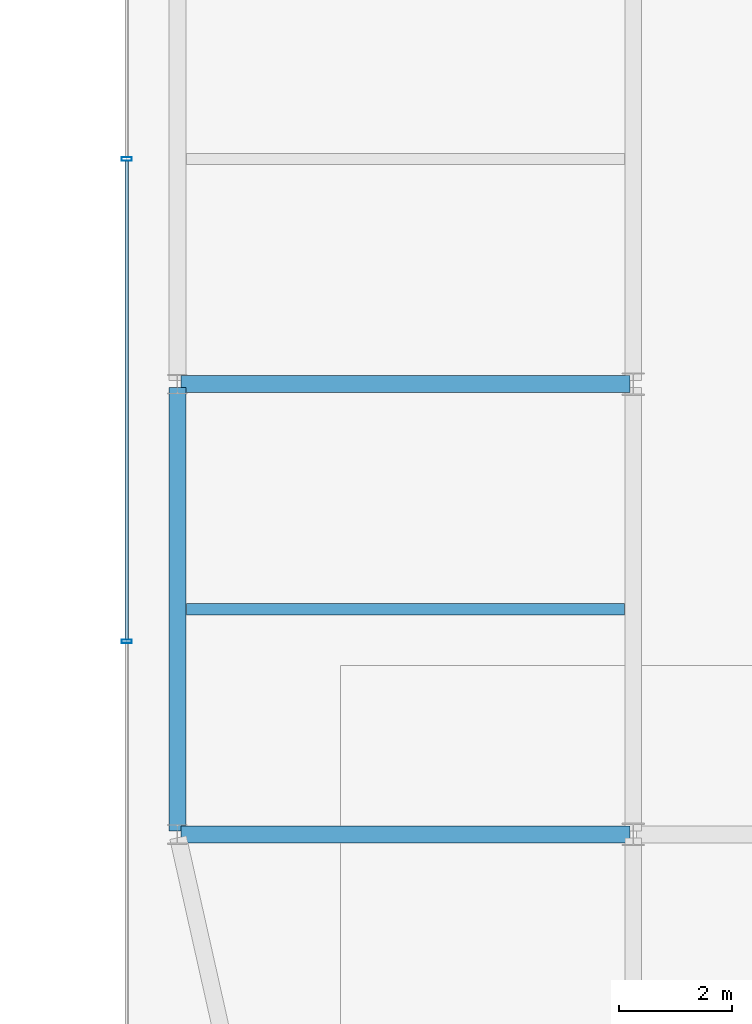
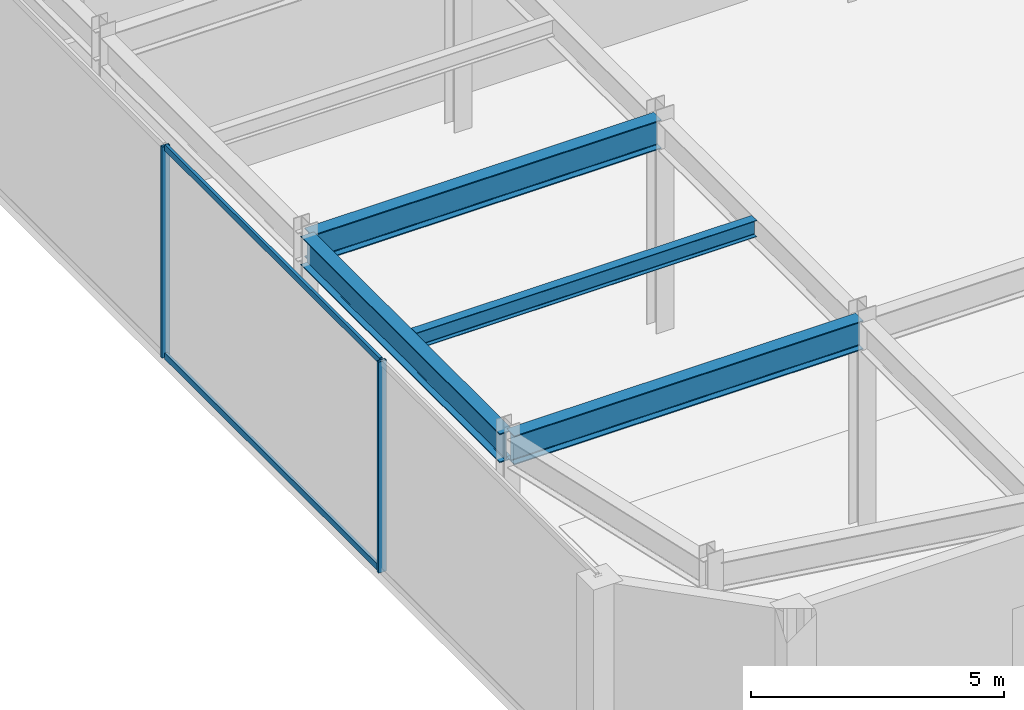
# One storey, part 34 of 51: 4 beams, 4 members, 1 element without a shape of its own.
"""IFC4 building model written with IfcOpenShell, lengths in metres."""

from ifc_helpers import new_model, si_unit, direction, frame, origin, origin_2d, place, context, subcontext, project, spatial, hollow_rectangle, i_section, extrude, material, material_profile, profile_set, type_object, element, aggregate, save


model = new_model("IFC4")

# Units and contexts
model_context = context("Model", 3, precision=1e-05, world=origin(), true_north=direction((0.0, 1.0)))
body_context = subcontext(model_context, "Body", "Model", "MODEL_VIEW")
ifc_project = project(units=[si_unit("LENGTHUNIT", "METRE"), si_unit("AREAUNIT", "SQUARE_METRE"), si_unit("VOLUMEUNIT", "CUBIC_METRE"), si_unit("PLANEANGLEUNIT", "RADIAN"), si_unit("MASSUNIT", "GRAM", prefix="KILO")], contexts=[model_context])

# Site, building, storey
site_placement = place(None, origin())
site = spatial("IfcSite", under=ifc_project, at=site_placement, CompositionType="ELEMENT")
building_placement = place(site_placement, origin())
building = spatial("IfcBuilding", under=site, at=building_placement, Name="Saevonmaru Cultural Tower", CompositionType="ELEMENT")
storey_placement = place(building_placement, frame((0.0, 0.0, 6.0)))
storey = spatial("IfcBuildingStorey", under=building, at=storey_placement, Name="L01", CompositionType="ELEMENT", Elevation=6.0)

# Beams
ifc_material_1 = material(Name="Steel SM355", Category="steel")
ifc_material_profile_1 = material_profile(ifc_material_1, i_section(OverallWidth=0.300048828125, OverallDepth=0.699951171875, WebThickness=0.012939453125, FlangeThickness=0.02392578125, FilletRadius=0.02587890625, at=origin_2d()), Name="H-700x300x13x24")
ifc_profile_set_1 = profile_set([ifc_material_profile_1], Name="Steel SM355")
beam_type_1 = type_object("IfcBeamType", Name="BM-G-H700", PredefinedType="BEAM", material=ifc_profile_set_1)
for number, where, z_axis, x_axis, name in (
    (1, (73.159912109375, 16.0, 4.75), (1.0, 0.0, 0.0), (0.0, 1.0, 0.0), "L01 Library Girder EW-2-1"),
    (2, (73.159912109375, 24.0, 4.75), (1.0, 0.0, 0.0), (0.0, 1.0, 0.0), "L01 Library Girder EW-3-1"),
):
    element("IfcBeam", number, at=place(storey_placement, frame(where, z_axis=z_axis, x_axis=x_axis)), inside=storey, type_object=beam_type_1, Name=name, PredefinedType="BEAM", context=body_context, shape_type="SweptSolid", body=[
        extrude(i_section(OverallWidth=0.300048828125, OverallDepth=0.699951171875, WebThickness=0.012939453125, FlangeThickness=0.02392578125, FilletRadius=0.02587890625, at=origin_2d()), origin(), (0.0, 0.0, 1.0), 7.97998046875),
    ])
beam_1_placement = place(storey_placement, frame((73.10009765625, 16.06005859375, 4.75), z_axis=(0.0, 1.0, 0.0), x_axis=(-1.0, 0.0, 0.0)))
element("IfcBeam", 3, at=beam_1_placement, inside=storey, type_object=beam_type_1, Name="L01 Library Girder NS-1-2", PredefinedType="BEAM", context=body_context, shape_type="SweptSolid", body=[
    extrude(i_section(OverallWidth=0.300048828125, OverallDepth=0.699951171875, WebThickness=0.012939453125, FlangeThickness=0.02392578125, FilletRadius=0.02587890625, at=origin_2d()), origin(), (0.0, 0.0, 1.0), 7.8798828125),
])
ifc_material_profile_2 = material_profile(ifc_material_1, i_section(OverallWidth=0.199951171875, OverallDepth=0.39990234375, WebThickness=0.008056640625, FlangeThickness=0.012939453125, FilletRadius=0.01611328125, at=origin_2d()), Name="H-400x200x8x13")
ifc_profile_set_2 = profile_set([ifc_material_profile_2], Name="Steel SM355")
beam_type_2 = type_object("IfcBeamType", Name="BM-J-H400", PredefinedType="JOIST", material=ifc_profile_set_2)
beam_2_placement = place(storey_placement, frame((73.258056640625, 20.0, 4.89990234375), z_axis=(1.0, 0.0, 0.0), x_axis=(0.0, 1.0, 0.0)))
element("IfcBeam", 4, at=beam_2_placement, inside=storey, type_object=beam_type_2, Name="L01 Library Joist J-2-1", PredefinedType="JOIST", context=body_context, shape_type="SweptSolid", body=[
    extrude(i_section(OverallWidth=0.199951171875, OverallDepth=0.39990234375, WebThickness=0.008056640625, FlangeThickness=0.012939453125, FilletRadius=0.01611328125, at=origin_2d()), origin(), (0.0, 0.0, 1.0), 7.783935546875),
])

# Curtain wall, members
ifc_material_2 = material(Name="Satin Bronze Anodised Aluminium", Category="aluminium")
curtain_wall_type = type_object("IfcCurtainWallType", Name="CW-LIB-GLZ", PredefinedType="NOTDEFINED", material=ifc_material_2)
curtain_wall_placement = place(storey_placement, origin())
curtain_wall = element("IfcCurtainWall", 5, at=curtain_wall_placement, inside=storey, type_object=curtain_wall_type, Name="L01 Central Library Reading Hall Curtain Wall 8", PredefinedType="NOTDEFINED")
ifc_material_profile_3 = material_profile(ifc_material_2, hollow_rectangle(XDim=0.06494140625, YDim=0.179931640625, WallThickness=0.00390625, at=origin_2d()), Name="ALU-MULL-180x65x4")
ifc_profile_set_3 = profile_set([ifc_material_profile_3], Name="Satin Bronze Anodised Aluminium")
member_type_1 = type_object("IfcMemberType", Name="ML-CW-180x65", PredefinedType="MULLION", material=ifc_profile_set_3)
member_1_placement = place(storey_placement, frame((72.199951171875, 28.0, 0.0), z_axis=(0.0, 0.0, 1.0), x_axis=(0.0, -1.0, 0.0)))
member_1 = element("IfcMember", 6, at=member_1_placement, type_object=member_type_1, Name="CW-LIB-8-L01 mullion 3", PredefinedType="MULLION", context=body_context, shape_type="SweptSolid", body=[
    extrude(hollow_rectangle(XDim=0.06494140625, YDim=0.179931640625, WallThickness=0.00390625, at=origin_2d()), origin(), (0.0, 0.0, 1.0), 5.10009765625),
])
member_2_placement = place(storey_placement, frame((72.199951171875, 19.429931640625, 0.0), z_axis=(0.0, 0.0, 1.0), x_axis=(0.0, -1.0, 0.0)))
member_2 = element("IfcMember", 7, at=member_2_placement, type_object=member_type_1, Name="CW-LIB-8-L01 mullion 4", PredefinedType="MULLION", context=body_context, shape_type="SweptSolid", body=[
    extrude(hollow_rectangle(XDim=0.06494140625, YDim=0.179931640625, WallThickness=0.00390625, at=origin_2d()), origin(), (0.0, 0.0, 1.0), 5.10009765625),
])
ifc_material_profile_4 = material_profile(ifc_material_2, hollow_rectangle(XDim=0.06494140625, YDim=0.14990234375, WallThickness=0.00390625, at=origin_2d()), Name="ALU-TRAN-150x65x4")
ifc_profile_set_4 = profile_set([ifc_material_profile_4], Name="Satin Bronze Anodised Aluminium")
member_type_2 = type_object("IfcMemberType", Name="TR-CW-150x65", PredefinedType="USERDEFINED", material=ifc_profile_set_4)
member_3_placement = place(storey_placement, frame((72.199951171875, 27.967529296875, 0.032470703125), z_axis=(0.0, -1.0, 0.0), x_axis=(1.0, 0.0, 0.0)))
member_3 = element("IfcMember", 8, at=member_3_placement, type_object=member_type_2, Name="CW-LIB-8-L01 transom 3.1", ObjectType="TRANSOM", PredefinedType="USERDEFINED", context=body_context, shape_type="SweptSolid", body=[
    extrude(hollow_rectangle(XDim=0.06494140625, YDim=0.14990234375, WallThickness=0.00390625, at=origin_2d()), origin(), (0.0, 0.0, 1.0), 8.505126953125),
])
member_4_placement = place(storey_placement, frame((72.199951171875, 27.967529296875, 5.0673828125), z_axis=(0.0, -1.0, 0.0), x_axis=(1.0, 0.0, 0.0)))
member_4 = element("IfcMember", 9, at=member_4_placement, type_object=member_type_2, Name="CW-LIB-8-L01 transom 3.2", ObjectType="TRANSOM", PredefinedType="USERDEFINED", context=body_context, shape_type="SweptSolid", body=[
    extrude(hollow_rectangle(XDim=0.06494140625, YDim=0.14990234375, WallThickness=0.00390625, at=origin_2d()), origin(), (0.0, 0.0, 1.0), 8.505126953125),
])
aggregate(curtain_wall, [member_1, member_2, member_3, member_4])

save(model, "model.ifc")
